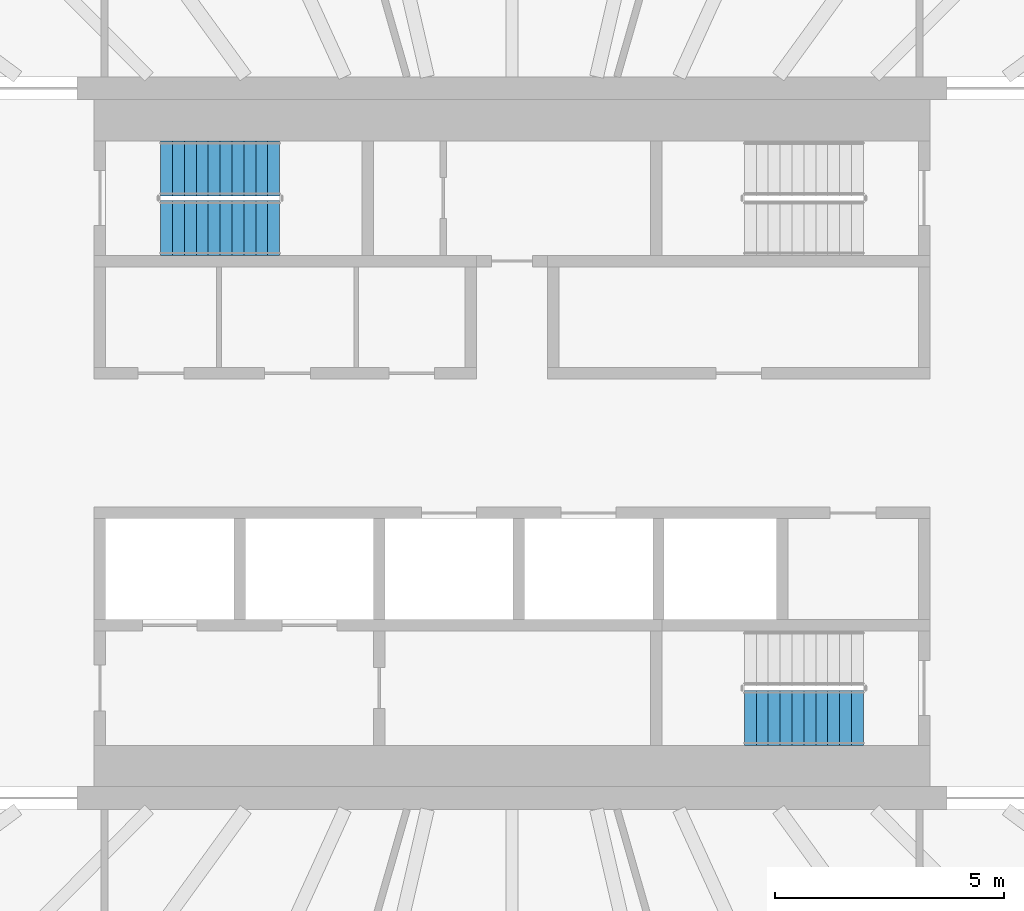
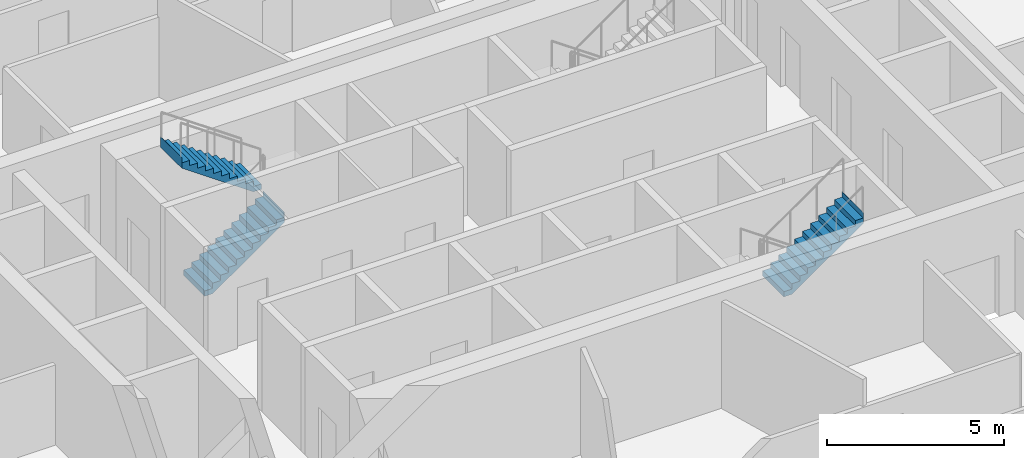
# One storey, part 15 of 21: 3 stair flights, 2 elements without a shape of their own.
"""IFC4 building model written with IfcOpenShell, lengths in metres."""

import ifcopenshell
import ifcopenshell.guid

model = None  # the IFC model being written
_history = None  # IfcOwnerHistory: only IFC2X3 demands one
_inside = {}  # id of a spatial element -> (the spatial element, [elements in it])
_under = {}  # id of a project, library or spatial element -> (it, [spatial elements below it])
_declared = {}  # id of a project -> (the project, [libraries it declares])
_typed = {}  # id of a type object -> (the type object, [elements of that type])
_made_of = {}  # id of a material, layer set ... -> (it, [elements and type objects made of it])


def new_model(schema):
    """Start an empty IFC model of exactly this schema.

    Asked for "IFC4X3", IfcOpenShell would pick the latest addendum, in which some entities
    have other attributes; the version numbers below select the first issue.
    IFC2X3 requires an IfcOwnerHistory on every rooted entity: one is made here for all.
    """
    global model, _history
    if schema == "IFC4X3":
        model = ifcopenshell.file(schema_version=(4, 3, 0, 0))
    else:
        model = ifcopenshell.file(schema=schema)
    _inside.clear()
    _under.clear()
    _declared.clear()
    _typed.clear()
    _made_of.clear()
    _history = None
    if model.schema == "IFC2X3":
        org = make("IfcOrganization", Name="unknown")
        user = make(
            "IfcPersonAndOrganization",
            ThePerson=make("IfcPerson", FamilyName="unknown"),
            TheOrganization=org,
        )
        app = make(
            "IfcApplication",
            ApplicationDeveloper=org,
            Version="unknown",
            ApplicationFullName="unknown",
            ApplicationIdentifier="unknown",
        )
        _history = make(
            "IfcOwnerHistory",
            OwningUser=user,
            OwningApplication=app,
            ChangeAction="ADDED",
            CreationDate=0,
        )
    return model


def make(cls, **values):
    """One entity of the class cls with the attributes given. An attribute that is None is left unset."""
    return model.create_entity(
        cls, **{name: value for name, value in values.items() if value is not None}
    )


def rooted(cls, **values):
    """An entity with a GlobalId (a new one), such as an element, a storey or a relation."""
    return make(cls, GlobalId=ifcopenshell.guid.new(), OwnerHistory=_history, **values)


def si_unit(unit_type, name, prefix=None):
    """IfcSIUnit, for example si_unit("LENGTHUNIT", "METRE", prefix="MILLI")."""
    return make("IfcSIUnit", UnitType=unit_type, Prefix=prefix, Name=name)


def assignment(units):
    """IfcUnitAssignment: the units of a project."""
    return None if units is None else make("IfcUnitAssignment", Units=units)


def point(xyz):
    """IfcCartesianPoint."""
    return None if xyz is None else make("IfcCartesianPoint", Coordinates=xyz)


def direction(xyz):
    """IfcDirection."""
    return None if xyz is None else make("IfcDirection", DirectionRatios=xyz)


def frame(location, z_axis=None, x_axis=None):
    """IfcAxis2Placement3D, a coordinate frame: its origin and axes. An axis left out is left unset."""
    return make(
        "IfcAxis2Placement3D",
        Location=point(location),
        Axis=direction(z_axis),
        RefDirection=direction(x_axis),
    )


def origin():
    """The frame at (0, 0, 0) with its axes left unset."""
    return frame((0.0, 0.0, 0.0))


def place(relative_to, where):
    """IfcLocalPlacement: puts the frame where relative to a parent placement (None: the world)."""
    return make(
        "IfcLocalPlacement", PlacementRelTo=relative_to, RelativePlacement=where
    )


def context(
    kind, dimensions, precision=None, world=None, true_north=None, identifier=None
):
    """IfcGeometricRepresentationContext, for example the 3D "Model" context."""
    return make(
        "IfcGeometricRepresentationContext",
        ContextIdentifier=identifier,
        ContextType=kind,
        CoordinateSpaceDimension=dimensions,
        Precision=precision,
        WorldCoordinateSystem=world,
        TrueNorth=true_north,
    )


def subcontext(parent, identifier, kind, view, scale=None):
    """IfcGeometricRepresentationSubContext, for example "Body" below "Model"."""
    return make(
        "IfcGeometricRepresentationSubContext",
        ContextIdentifier=identifier,
        ContextType=kind,
        ParentContext=parent,
        TargetScale=scale,
        TargetView=view,
    )


def project(units=None, contexts=None):
    """IfcProject with its units and contexts."""
    return rooted(
        "IfcProject",
        Name="project",
        RepresentationContexts=contexts,
        UnitsInContext=assignment(units),
    )


def spatial(cls, under=None, at=None, **own):
    """A site, building, storey or space (cls), placed at a placement, below another one or the project."""
    s = rooted(cls, ObjectPlacement=at, **own)
    if under is not None:
        _under.setdefault(under.id(), (under, []))[1].append(s)
    return s


def point_list(points):
    """IfcCartesianPointList2D or 3D."""
    cls = (
        "IfcCartesianPointList2D" if len(points[0]) == 2 else "IfcCartesianPointList3D"
    )
    return make(cls, CoordList=points)


def triangles(points, corners, closed=None, point_numbers=None):
    """IfcTriangulatedFaceSet: each triangle names its three corners, points numbered from 1."""
    return make(
        "IfcTriangulatedFaceSet",
        Coordinates=point_list(points),
        Closed=closed,
        CoordIndex=corners,
        PnIndex=point_numbers,
    )


def shape(context_of_items, identifier, shape_type, items):
    """IfcShapeRepresentation: the items that make up one representation, for example the "Body"."""
    return make(
        "IfcShapeRepresentation",
        ContextOfItems=context_of_items,
        RepresentationIdentifier=identifier,
        RepresentationType=shape_type,
        Items=items,
    )


def material(Name=None, Category=None):
    """IfcMaterial."""
    return make("IfcMaterial", Name=Name, Category=Category)


def made_of(thing, what):
    """Note that an element or type object is made of a material, layer set ...; save() writes the relation."""
    if what is not None:
        _made_of.setdefault(what.id(), (what, []))[1].append(thing)
    return thing


def type_object(cls, material=None, **own):
    """A type object (cls), such as IfcWallType, which elements share."""
    return made_of(rooted(cls, **own), material)


def element(
    cls,
    number,
    at=None,
    inside=None,
    cuts=None,
    type_object=None,
    material=None,
    context=None,
    identifier="Body",
    shape_type=None,
    held_by="IfcProductDefinitionShape",
    body=None,
    shapes=None,
    **own,
):
    """One element of the class cls, such as IfcWall. Its Tag is "e" and its number.

    at: its placement. inside: the storey or other place that contains it. cuts: it is an
    opening in that element (IfcRelVoidsElement). A single representation is given by context,
    identifier, shape_type and body (its items); several are given by shapes. held_by: the class
    of the entity that holds the representations. save() writes the other relations.
    """
    e = rooted(cls, Tag="e%d" % number, ObjectPlacement=at, **own)
    if body is not None:
        shapes = [shape(context, identifier, shape_type, body)]
    if shapes is not None:
        e.Representation = make(held_by, Representations=shapes)
    if inside is not None:
        _inside.setdefault(inside.id(), (inside, []))[1].append(e)
    if cuts is not None:
        rooted(
            "IfcRelVoidsElement", RelatingBuildingElement=cuts, RelatedOpeningElement=e
        )
    if type_object is not None:
        _typed.setdefault(type_object.id(), (type_object, []))[1].append(e)
    return made_of(e, material)


def aggregate(whole, parts):
    """IfcRelAggregates: a whole, such as a stair, and the parts it consists of."""
    return rooted("IfcRelAggregates", RelatingObject=whole, RelatedObjects=parts)


def save(model, path):
    """Write the relations noted so far, then the file.

    IfcRelAggregates (storeys below a building ...), IfcRelContainedInSpatialStructure (elements
    in a storey), IfcRelDefinesByType, IfcRelAssociatesMaterial and IfcRelDeclares: one each for
    every whole, place, type object, material and project.
    """
    for whole, parts in _under.values():
        aggregate(whole, parts)
    for where, things in _inside.values():
        rooted(
            "IfcRelContainedInSpatialStructure",
            RelatedElements=things,
            RelatingStructure=where,
        )
    for kind, things in _typed.values():
        rooted("IfcRelDefinesByType", RelatedObjects=things, RelatingType=kind)
    for what, things in _made_of.values():
        rooted("IfcRelAssociatesMaterial", RelatedObjects=things, RelatingMaterial=what)
    for by, libraries in _declared.values():
        rooted("IfcRelDeclares", RelatingContext=by, RelatedDefinitions=libraries)
    model.write(path)


model = new_model("IFC4")

# Units and contexts
model_context = context("Model", 3, precision=1e-05, world=origin(), true_north=direction((0.0, 1.0)))
body_context = subcontext(model_context, "Body", "Model", "MODEL_VIEW")
ifc_project = project(units=[si_unit("LENGTHUNIT", "METRE"), si_unit("AREAUNIT", "SQUARE_METRE"), si_unit("VOLUMEUNIT", "CUBIC_METRE"), si_unit("PLANEANGLEUNIT", "RADIAN"), si_unit("MASSUNIT", "GRAM", prefix="KILO")], contexts=[model_context])

# Site, building, storey
site_placement = place(None, origin())
site = spatial("IfcSite", under=ifc_project, at=site_placement, CompositionType="ELEMENT")
building_placement = place(site_placement, origin())
building = spatial("IfcBuilding", under=site, at=building_placement, Name="Sahrelin Media Tower", CompositionType="ELEMENT")
storey_placement = place(building_placement, frame((0.0, 0.0, 193.60009765625)))
storey = spatial("IfcBuildingStorey", under=building, at=storey_placement, Name="L41", CompositionType="ELEMENT", Elevation=193.60009765625)

# Stair, stair flights
ifc_material = material(Name="Concrete C40/50", Category="concrete")
stair_type = type_object("IfcStairType", Name="Exit stair 1200", PredefinedType="HALF_TURN_STAIR", material=ifc_material)
placement = place(storey_placement, origin())
stair_1 = element("IfcStair", 1, at=placement, inside=storey, type_object=stair_type, Name="L41 Exit stair ST1", PredefinedType="HALF_TURN_STAIR")
stair_flight_type = type_object("IfcStairFlightType", Name="Stair flight 1200", PredefinedType="STRAIGHT", material=ifc_material)
stair_flight_1_placement = place(storey_placement, frame((-7.675048828125, 4.699951171875, 0.0), z_axis=(0.0, 0.0, 1.0), x_axis=(1.0, 0.0, 0.0)))
stair_flight_1 = element("IfcStairFlight", 2, at=stair_flight_1_placement, type_object=stair_flight_type, Name="ST1 flight 1", NumberOfRisers=11, NumberOfTreads=10, PredefinedType="STRAIGHT", RiserHeight=0.181818182, TreadLength=0.26, context=body_context, shape_type="Tessellation", body=[
    triangles([(0.261474609375, 0.60009765625, 0.0), (0.261474609375, 0.300048828125, 0.0), (0.261474609375, 0.0, 0.0), (0.261474609375, -0.300048828125, 0.0), (0.261474609375, -0.60009765625, 0.0), (2.60009765625, 0.60009765625, 1.63525390625), (2.60009765625, 0.300048828125, 1.63525390625), (2.60009765625, 0.0, 1.63525390625), (2.60009765625, -0.300048828125, 1.63525390625), (2.60009765625, -0.60009765625, 1.63525390625), (2.60009765625, 0.60009765625, 2.0), (2.60009765625, 0.300048828125, 2.0), (2.60009765625, 0.0, 2.0), (2.60009765625, -0.300048828125, 2.0), (2.60009765625, -0.60009765625, 2.0), (2.597900390625, 0.60009765625, 2.0), (2.597900390625, 0.300048828125, 2.0), (2.597900390625, 0.0, 2.0), (2.597900390625, -0.300048828125, 2.0), (2.597900390625, -0.60009765625, 2.0), (2.597900390625, 0.60009765625, 1.818115234375), (2.597900390625, 0.300048828125, 1.818115234375), (2.597900390625, 0.0, 1.818115234375), (2.597900390625, -0.300048828125, 1.818115234375), (2.597900390625, -0.60009765625, 1.818115234375), (2.340087890625, 0.60009765625, 1.818115234375), (2.340087890625, 0.300048828125, 1.818115234375), (2.340087890625, 0.0, 1.818115234375), (2.340087890625, -0.300048828125, 1.818115234375), (2.340087890625, -0.60009765625, 1.818115234375), (2.340087890625, 0.60009765625, 1.636474609375), (2.340087890625, 0.300048828125, 1.636474609375), (2.340087890625, 0.0, 1.636474609375), (2.340087890625, -0.300048828125, 1.636474609375), (2.340087890625, -0.60009765625, 1.636474609375), (2.080078125, 0.60009765625, 1.636474609375), (2.080078125, 0.300048828125, 1.636474609375), (2.080078125, 0.0, 1.636474609375), (2.080078125, -0.300048828125, 1.636474609375), (2.080078125, -0.60009765625, 1.636474609375), (2.080078125, 0.60009765625, 1.45458984375), (2.080078125, 0.300048828125, 1.45458984375), (2.080078125, 0.0, 1.45458984375), (2.080078125, -0.300048828125, 1.45458984375), (2.080078125, -0.60009765625, 1.45458984375), (1.820068359375, 0.60009765625, 1.45458984375), (1.820068359375, 0.300048828125, 1.45458984375), (1.820068359375, 0.0, 1.45458984375), (1.820068359375, -0.300048828125, 1.45458984375), (1.820068359375, -0.60009765625, 1.45458984375), (1.820068359375, 0.60009765625, 1.272705078125), (1.820068359375, 0.300048828125, 1.272705078125), (1.820068359375, 0.0, 1.272705078125), (1.820068359375, -0.300048828125, 1.272705078125), (1.820068359375, -0.60009765625, 1.272705078125), (1.56005859375, 0.60009765625, 1.272705078125), (1.56005859375, 0.300048828125, 1.272705078125), (1.56005859375, 0.0, 1.272705078125), (1.56005859375, -0.300048828125, 1.272705078125), (1.56005859375, -0.60009765625, 1.272705078125), (1.56005859375, 0.60009765625, 1.0908203125), (1.56005859375, 0.300048828125, 1.0908203125), (1.56005859375, 0.0, 1.0908203125), (1.56005859375, -0.300048828125, 1.0908203125), (1.56005859375, -0.60009765625, 1.0908203125), (1.300048828125, 0.60009765625, 1.0908203125), (1.300048828125, 0.300048828125, 1.0908203125), (1.300048828125, 0.0, 1.0908203125), (1.300048828125, -0.300048828125, 1.0908203125), (1.300048828125, -0.60009765625, 1.0908203125), (1.300048828125, 0.60009765625, 0.9091796875), (1.300048828125, 0.300048828125, 0.9091796875), (1.300048828125, 0.0, 0.9091796875), (1.300048828125, -0.300048828125, 0.9091796875), (1.300048828125, -0.60009765625, 0.9091796875), (1.0400390625, 0.60009765625, 0.9091796875), (1.0400390625, 0.300048828125, 0.9091796875), (1.0400390625, 0.0, 0.9091796875), (1.0400390625, -0.300048828125, 0.9091796875), (1.0400390625, -0.60009765625, 0.9091796875), (1.0400390625, 0.60009765625, 0.727294921875), (1.0400390625, 0.300048828125, 0.727294921875), (1.0400390625, 0.0, 0.727294921875), (1.0400390625, -0.300048828125, 0.727294921875), (1.0400390625, -0.60009765625, 0.727294921875), (0.780029296875, 0.60009765625, 0.727294921875), (0.780029296875, 0.300048828125, 0.727294921875), (0.780029296875, 0.0, 0.727294921875), (0.780029296875, -0.300048828125, 0.727294921875), (0.780029296875, -0.60009765625, 0.727294921875), (0.780029296875, 0.60009765625, 0.54541015625), (0.780029296875, 0.300048828125, 0.54541015625), (0.780029296875, 0.0, 0.54541015625), (0.780029296875, -0.300048828125, 0.54541015625), (0.780029296875, -0.60009765625, 0.54541015625), (0.52001953125, 0.60009765625, 0.54541015625), (0.52001953125, 0.300048828125, 0.54541015625), (0.52001953125, 0.0, 0.54541015625), (0.52001953125, -0.300048828125, 0.54541015625), (0.52001953125, -0.60009765625, 0.54541015625), (0.52001953125, 0.60009765625, 0.363525390625), (0.52001953125, 0.300048828125, 0.363525390625), (0.52001953125, 0.0, 0.363525390625), (0.52001953125, -0.300048828125, 0.363525390625), (0.52001953125, -0.60009765625, 0.363525390625), (0.260009765625, 0.60009765625, 0.363525390625), (0.260009765625, 0.300048828125, 0.363525390625), (0.260009765625, 0.0, 0.363525390625), (0.260009765625, -0.300048828125, 0.363525390625), (0.260009765625, -0.60009765625, 0.363525390625), (0.260009765625, 0.60009765625, 0.181884765625), (0.260009765625, 0.300048828125, 0.181884765625), (0.260009765625, 0.0, 0.181884765625), (0.260009765625, -0.300048828125, 0.181884765625), (0.260009765625, -0.60009765625, 0.181884765625), (0.0, 0.60009765625, 0.181884765625), (0.0, 0.300048828125, 0.181884765625), (0.0, 0.0, 0.181884765625), (0.0, -0.300048828125, 0.181884765625), (0.0, -0.60009765625, 0.181884765625), (0.0, 0.60009765625, 0.0), (0.0, 0.300048828125, 0.0), (0.0, 0.0, 0.0), (0.0, -0.300048828125, 0.0), (0.0, -0.60009765625, 0.0)], [[1, 6, 7], [1, 7, 2], [2, 7, 8], [2, 8, 3], [3, 8, 9], [3, 9, 4], [4, 9, 10], [4, 10, 5], [6, 11, 12], [6, 12, 7], [7, 12, 13], [7, 13, 8], [8, 13, 14], [8, 14, 9], [9, 14, 15], [9, 15, 10], [11, 16, 17], [11, 17, 12], [12, 17, 18], [12, 18, 13], [13, 18, 19], [13, 19, 14], [14, 19, 20], [14, 20, 15], [16, 21, 22], [16, 22, 17], [17, 22, 23], [17, 23, 18], [18, 23, 24], [18, 24, 19], [19, 24, 25], [19, 25, 20], [21, 26, 27], [21, 27, 22], [22, 27, 28], [22, 28, 23], [23, 28, 29], [23, 29, 24], [24, 29, 30], [24, 30, 25], [26, 31, 32], [26, 32, 27], [27, 32, 33], [27, 33, 28], [28, 33, 34], [28, 34, 29], [29, 34, 35], [29, 35, 30], [31, 36, 37], [31, 37, 32], [32, 37, 38], [32, 38, 33], [33, 38, 39], [33, 39, 34], [34, 39, 40], [34, 40, 35], [36, 41, 42], [36, 42, 37], [37, 42, 43], [37, 43, 38], [38, 43, 44], [38, 44, 39], [39, 44, 45], [39, 45, 40], [41, 46, 47], [41, 47, 42], [42, 47, 48], [42, 48, 43], [43, 48, 49], [43, 49, 44], [44, 49, 50], [44, 50, 45], [46, 51, 52], [46, 52, 47], [47, 52, 53], [47, 53, 48], [48, 53, 54], [48, 54, 49], [49, 54, 55], [49, 55, 50], [51, 56, 57], [51, 57, 52], [52, 57, 58], [52, 58, 53], [53, 58, 59], [53, 59, 54], [54, 59, 60], [54, 60, 55], [56, 61, 62], [56, 62, 57], [57, 62, 63], [57, 63, 58], [58, 63, 64], [58, 64, 59], [59, 64, 65], [59, 65, 60], [61, 66, 67], [61, 67, 62], [62, 67, 68], [62, 68, 63], [63, 68, 69], [63, 69, 64], [64, 69, 70], [64, 70, 65], [66, 71, 72], [66, 72, 67], [67, 72, 73], [67, 73, 68], [68, 73, 74], [68, 74, 69], [69, 74, 75], [69, 75, 70], [71, 76, 77], [71, 77, 72], [72, 77, 78], [72, 78, 73], [73, 78, 79], [73, 79, 74], [74, 79, 80], [74, 80, 75], [76, 81, 82], [76, 82, 77], [77, 82, 83], [77, 83, 78], [78, 83, 84], [78, 84, 79], [79, 84, 85], [79, 85, 80], [81, 86, 87], [81, 87, 82], [82, 87, 88], [82, 88, 83], [83, 88, 89], [83, 89, 84], [84, 89, 90], [84, 90, 85], [86, 91, 92], [86, 92, 87], [87, 92, 93], [87, 93, 88], [88, 93, 94], [88, 94, 89], [89, 94, 95], [89, 95, 90], [91, 96, 97], [91, 97, 92], [92, 97, 98], [92, 98, 93], [93, 98, 99], [93, 99, 94], [94, 99, 100], [94, 100, 95], [96, 101, 102], [96, 102, 97], [97, 102, 103], [97, 103, 98], [98, 103, 104], [98, 104, 99], [99, 104, 105], [99, 105, 100], [101, 106, 107], [101, 107, 102], [102, 107, 108], [102, 108, 103], [103, 108, 109], [103, 109, 104], [104, 109, 110], [104, 110, 105], [106, 111, 112], [106, 112, 107], [107, 112, 113], [107, 113, 108], [108, 113, 114], [108, 114, 109], [109, 114, 115], [109, 115, 110], [111, 116, 117], [111, 117, 112], [112, 117, 118], [112, 118, 113], [113, 118, 119], [113, 119, 114], [114, 119, 120], [114, 120, 115], [116, 121, 122], [116, 122, 117], [117, 122, 123], [117, 123, 118], [118, 123, 124], [118, 124, 119], [119, 124, 125], [119, 125, 120], [121, 1, 2], [121, 2, 122], [122, 2, 3], [122, 3, 123], [123, 3, 4], [123, 4, 124], [124, 4, 5], [124, 5, 125], [115, 120, 125], [111, 121, 116], [115, 105, 110], [111, 106, 101], [105, 95, 100], [101, 96, 91], [95, 85, 90], [91, 86, 81], [85, 75, 80], [81, 76, 71], [75, 65, 70], [71, 66, 61], [65, 55, 60], [61, 56, 51], [55, 45, 50], [51, 46, 41], [45, 35, 40], [41, 36, 31], [35, 25, 30], [31, 26, 21], [25, 15, 20], [21, 16, 11], [125, 5, 115], [121, 111, 1], [25, 10, 15], [21, 11, 6], [105, 115, 5], [101, 1, 111], [35, 10, 25], [31, 21, 6], [95, 105, 5], [91, 1, 101], [45, 10, 35], [41, 31, 6], [85, 95, 5], [81, 1, 91], [55, 10, 45], [51, 41, 6], [75, 85, 5], [71, 1, 81], [65, 10, 55], [61, 51, 6], [5, 10, 75], [1, 71, 6], [75, 10, 65], [71, 61, 6]], closed=True),
])
stair_flight_2_placement = place(storey_placement, frame((-5.074951171875, 6.0, 2.0), z_axis=(0.0, 0.0, 1.0), x_axis=(-1.0, 0.0, 0.0)))
stair_flight_2 = element("IfcStairFlight", 3, at=stair_flight_2_placement, type_object=stair_flight_type, Name="ST1 flight 2", NumberOfRisers=11, NumberOfTreads=10, PredefinedType="STRAIGHT", RiserHeight=0.181818182, TreadLength=0.26, context=body_context, shape_type="Tessellation", body=[
    triangles([(0.261474609375, 0.60009765625, 0.0), (0.261474609375, 0.300048828125, 0.0), (0.261474609375, 0.0, 0.0), (0.261474609375, -0.300048828125, 0.0), (0.261474609375, -0.60009765625, 0.0), (2.60009765625, 0.60009765625, 1.63525390625), (2.60009765625, 0.300048828125, 1.63525390625), (2.60009765625, 0.0, 1.63525390625), (2.60009765625, -0.300048828125, 1.63525390625), (2.60009765625, -0.60009765625, 1.63525390625), (2.60009765625, 0.60009765625, 2.0), (2.60009765625, 0.300048828125, 2.0), (2.60009765625, 0.0, 2.0), (2.60009765625, -0.300048828125, 2.0), (2.60009765625, -0.60009765625, 2.0), (2.597900390625, 0.60009765625, 2.0), (2.597900390625, 0.300048828125, 2.0), (2.597900390625, 0.0, 2.0), (2.597900390625, -0.300048828125, 2.0), (2.597900390625, -0.60009765625, 2.0), (2.597900390625, 0.60009765625, 1.818115234375), (2.597900390625, 0.300048828125, 1.818115234375), (2.597900390625, 0.0, 1.818115234375), (2.597900390625, -0.300048828125, 1.818115234375), (2.597900390625, -0.60009765625, 1.818115234375), (2.340087890625, 0.60009765625, 1.818115234375), (2.340087890625, 0.300048828125, 1.818115234375), (2.340087890625, 0.0, 1.818115234375), (2.340087890625, -0.300048828125, 1.818115234375), (2.340087890625, -0.60009765625, 1.818115234375), (2.340087890625, 0.60009765625, 1.636474609375), (2.340087890625, 0.300048828125, 1.636474609375), (2.340087890625, 0.0, 1.636474609375), (2.340087890625, -0.300048828125, 1.636474609375), (2.340087890625, -0.60009765625, 1.636474609375), (2.080078125, 0.60009765625, 1.636474609375), (2.080078125, 0.300048828125, 1.636474609375), (2.080078125, 0.0, 1.636474609375), (2.080078125, -0.300048828125, 1.636474609375), (2.080078125, -0.60009765625, 1.636474609375), (2.080078125, 0.60009765625, 1.45458984375), (2.080078125, 0.300048828125, 1.45458984375), (2.080078125, 0.0, 1.45458984375), (2.080078125, -0.300048828125, 1.45458984375), (2.080078125, -0.60009765625, 1.45458984375), (1.820068359375, 0.60009765625, 1.45458984375), (1.820068359375, 0.300048828125, 1.45458984375), (1.820068359375, 0.0, 1.45458984375), (1.820068359375, -0.300048828125, 1.45458984375), (1.820068359375, -0.60009765625, 1.45458984375), (1.820068359375, 0.60009765625, 1.272705078125), (1.820068359375, 0.300048828125, 1.272705078125), (1.820068359375, 0.0, 1.272705078125), (1.820068359375, -0.300048828125, 1.272705078125), (1.820068359375, -0.60009765625, 1.272705078125), (1.56005859375, 0.60009765625, 1.272705078125), (1.56005859375, 0.300048828125, 1.272705078125), (1.56005859375, 0.0, 1.272705078125), (1.56005859375, -0.300048828125, 1.272705078125), (1.56005859375, -0.60009765625, 1.272705078125), (1.56005859375, 0.60009765625, 1.0908203125), (1.56005859375, 0.300048828125, 1.0908203125), (1.56005859375, 0.0, 1.0908203125), (1.56005859375, -0.300048828125, 1.0908203125), (1.56005859375, -0.60009765625, 1.0908203125), (1.300048828125, 0.60009765625, 1.0908203125), (1.300048828125, 0.300048828125, 1.0908203125), (1.300048828125, 0.0, 1.0908203125), (1.300048828125, -0.300048828125, 1.0908203125), (1.300048828125, -0.60009765625, 1.0908203125), (1.300048828125, 0.60009765625, 0.9091796875), (1.300048828125, 0.300048828125, 0.9091796875), (1.300048828125, 0.0, 0.9091796875), (1.300048828125, -0.300048828125, 0.9091796875), (1.300048828125, -0.60009765625, 0.9091796875), (1.0400390625, 0.60009765625, 0.9091796875), (1.0400390625, 0.300048828125, 0.9091796875), (1.0400390625, 0.0, 0.9091796875), (1.0400390625, -0.300048828125, 0.9091796875), (1.0400390625, -0.60009765625, 0.9091796875), (1.0400390625, 0.60009765625, 0.727294921875), (1.0400390625, 0.300048828125, 0.727294921875), (1.0400390625, 0.0, 0.727294921875), (1.0400390625, -0.300048828125, 0.727294921875), (1.0400390625, -0.60009765625, 0.727294921875), (0.780029296875, 0.60009765625, 0.727294921875), (0.780029296875, 0.300048828125, 0.727294921875), (0.780029296875, 0.0, 0.727294921875), (0.780029296875, -0.300048828125, 0.727294921875), (0.780029296875, -0.60009765625, 0.727294921875), (0.780029296875, 0.60009765625, 0.54541015625), (0.780029296875, 0.300048828125, 0.54541015625), (0.780029296875, 0.0, 0.54541015625), (0.780029296875, -0.300048828125, 0.54541015625), (0.780029296875, -0.60009765625, 0.54541015625), (0.52001953125, 0.60009765625, 0.54541015625), (0.52001953125, 0.300048828125, 0.54541015625), (0.52001953125, 0.0, 0.54541015625), (0.52001953125, -0.300048828125, 0.54541015625), (0.52001953125, -0.60009765625, 0.54541015625), (0.52001953125, 0.60009765625, 0.363525390625), (0.52001953125, 0.300048828125, 0.363525390625), (0.52001953125, 0.0, 0.363525390625), (0.52001953125, -0.300048828125, 0.363525390625), (0.52001953125, -0.60009765625, 0.363525390625), (0.260009765625, 0.60009765625, 0.363525390625), (0.260009765625, 0.300048828125, 0.363525390625), (0.260009765625, 0.0, 0.363525390625), (0.260009765625, -0.300048828125, 0.363525390625), (0.260009765625, -0.60009765625, 0.363525390625), (0.260009765625, 0.60009765625, 0.181884765625), (0.260009765625, 0.300048828125, 0.181884765625), (0.260009765625, 0.0, 0.181884765625), (0.260009765625, -0.300048828125, 0.181884765625), (0.260009765625, -0.60009765625, 0.181884765625), (0.0, 0.60009765625, 0.181884765625), (0.0, 0.300048828125, 0.181884765625), (0.0, 0.0, 0.181884765625), (0.0, -0.300048828125, 0.181884765625), (0.0, -0.60009765625, 0.181884765625), (0.0, 0.60009765625, 0.0), (0.0, 0.300048828125, 0.0), (0.0, 0.0, 0.0), (0.0, -0.300048828125, 0.0), (0.0, -0.60009765625, 0.0)], [[1, 6, 7], [1, 7, 2], [2, 7, 8], [2, 8, 3], [3, 8, 9], [3, 9, 4], [4, 9, 10], [4, 10, 5], [6, 11, 12], [6, 12, 7], [7, 12, 13], [7, 13, 8], [8, 13, 14], [8, 14, 9], [9, 14, 15], [9, 15, 10], [11, 16, 17], [11, 17, 12], [12, 17, 18], [12, 18, 13], [13, 18, 19], [13, 19, 14], [14, 19, 20], [14, 20, 15], [16, 21, 22], [16, 22, 17], [17, 22, 23], [17, 23, 18], [18, 23, 24], [18, 24, 19], [19, 24, 25], [19, 25, 20], [21, 26, 27], [21, 27, 22], [22, 27, 28], [22, 28, 23], [23, 28, 29], [23, 29, 24], [24, 29, 30], [24, 30, 25], [26, 31, 32], [26, 32, 27], [27, 32, 33], [27, 33, 28], [28, 33, 34], [28, 34, 29], [29, 34, 35], [29, 35, 30], [31, 36, 37], [31, 37, 32], [32, 37, 38], [32, 38, 33], [33, 38, 39], [33, 39, 34], [34, 39, 40], [34, 40, 35], [36, 41, 42], [36, 42, 37], [37, 42, 43], [37, 43, 38], [38, 43, 44], [38, 44, 39], [39, 44, 45], [39, 45, 40], [41, 46, 47], [41, 47, 42], [42, 47, 48], [42, 48, 43], [43, 48, 49], [43, 49, 44], [44, 49, 50], [44, 50, 45], [46, 51, 52], [46, 52, 47], [47, 52, 53], [47, 53, 48], [48, 53, 54], [48, 54, 49], [49, 54, 55], [49, 55, 50], [51, 56, 57], [51, 57, 52], [52, 57, 58], [52, 58, 53], [53, 58, 59], [53, 59, 54], [54, 59, 60], [54, 60, 55], [56, 61, 62], [56, 62, 57], [57, 62, 63], [57, 63, 58], [58, 63, 64], [58, 64, 59], [59, 64, 65], [59, 65, 60], [61, 66, 67], [61, 67, 62], [62, 67, 68], [62, 68, 63], [63, 68, 69], [63, 69, 64], [64, 69, 70], [64, 70, 65], [66, 71, 72], [66, 72, 67], [67, 72, 73], [67, 73, 68], [68, 73, 74], [68, 74, 69], [69, 74, 75], [69, 75, 70], [71, 76, 77], [71, 77, 72], [72, 77, 78], [72, 78, 73], [73, 78, 79], [73, 79, 74], [74, 79, 80], [74, 80, 75], [76, 81, 82], [76, 82, 77], [77, 82, 83], [77, 83, 78], [78, 83, 84], [78, 84, 79], [79, 84, 85], [79, 85, 80], [81, 86, 87], [81, 87, 82], [82, 87, 88], [82, 88, 83], [83, 88, 89], [83, 89, 84], [84, 89, 90], [84, 90, 85], [86, 91, 92], [86, 92, 87], [87, 92, 93], [87, 93, 88], [88, 93, 94], [88, 94, 89], [89, 94, 95], [89, 95, 90], [91, 96, 97], [91, 97, 92], [92, 97, 98], [92, 98, 93], [93, 98, 99], [93, 99, 94], [94, 99, 100], [94, 100, 95], [96, 101, 102], [96, 102, 97], [97, 102, 103], [97, 103, 98], [98, 103, 104], [98, 104, 99], [99, 104, 105], [99, 105, 100], [101, 106, 107], [101, 107, 102], [102, 107, 108], [102, 108, 103], [103, 108, 109], [103, 109, 104], [104, 109, 110], [104, 110, 105], [106, 111, 112], [106, 112, 107], [107, 112, 113], [107, 113, 108], [108, 113, 114], [108, 114, 109], [109, 114, 115], [109, 115, 110], [111, 116, 117], [111, 117, 112], [112, 117, 118], [112, 118, 113], [113, 118, 119], [113, 119, 114], [114, 119, 120], [114, 120, 115], [116, 121, 122], [116, 122, 117], [117, 122, 123], [117, 123, 118], [118, 123, 124], [118, 124, 119], [119, 124, 125], [119, 125, 120], [121, 1, 2], [121, 2, 122], [122, 2, 3], [122, 3, 123], [123, 3, 4], [123, 4, 124], [124, 4, 5], [124, 5, 125], [115, 120, 125], [111, 121, 116], [115, 105, 110], [111, 106, 101], [105, 95, 100], [101, 96, 91], [95, 85, 90], [91, 86, 81], [85, 75, 80], [81, 76, 71], [75, 65, 70], [71, 66, 61], [65, 55, 60], [61, 56, 51], [55, 45, 50], [51, 46, 41], [45, 35, 40], [41, 36, 31], [35, 25, 30], [31, 26, 21], [25, 15, 20], [21, 16, 11], [125, 5, 115], [121, 111, 1], [25, 10, 15], [21, 11, 6], [105, 115, 5], [101, 1, 111], [35, 10, 25], [31, 21, 6], [95, 105, 5], [91, 1, 101], [45, 10, 35], [41, 31, 6], [85, 95, 5], [81, 1, 91], [55, 10, 45], [51, 41, 6], [75, 85, 5], [71, 1, 81], [65, 10, 55], [61, 51, 6], [5, 10, 75], [1, 71, 6], [75, 10, 65], [71, 61, 6]], closed=True),
])
aggregate(stair_1, [stair_flight_1, stair_flight_2])

# Stair, stair flight
stair_2 = element("IfcStair", 4, at=placement, inside=storey, type_object=stair_type, Name="L41 Exit stair ST2", PredefinedType="HALF_TURN_STAIR")
stair_flight_3_placement = place(storey_placement, frame((5.074951171875, -6.0, 2.0), z_axis=(0.0, 0.0, 1.0), x_axis=(1.0, 0.0, 0.0)))
stair_flight_3 = element("IfcStairFlight", 5, at=stair_flight_3_placement, type_object=stair_flight_type, Name="ST2 flight 2", NumberOfRisers=11, NumberOfTreads=10, PredefinedType="STRAIGHT", RiserHeight=0.181818182, TreadLength=0.26, context=body_context, shape_type="Tessellation", body=[
    triangles([(0.261474609375, 0.60009765625, 0.0), (0.261474609375, 0.300048828125, 0.0), (0.261474609375, 0.0, 0.0), (0.261474609375, -0.300048828125, 0.0), (0.261474609375, -0.60009765625, 0.0), (2.60009765625, 0.60009765625, 1.63525390625), (2.60009765625, 0.300048828125, 1.63525390625), (2.60009765625, 0.0, 1.63525390625), (2.60009765625, -0.300048828125, 1.63525390625), (2.60009765625, -0.60009765625, 1.63525390625), (2.60009765625, 0.60009765625, 2.0), (2.60009765625, 0.300048828125, 2.0), (2.60009765625, 0.0, 2.0), (2.60009765625, -0.300048828125, 2.0), (2.60009765625, -0.60009765625, 2.0), (2.597900390625, 0.60009765625, 2.0), (2.597900390625, 0.300048828125, 2.0), (2.597900390625, 0.0, 2.0), (2.597900390625, -0.300048828125, 2.0), (2.597900390625, -0.60009765625, 2.0), (2.597900390625, 0.60009765625, 1.818115234375), (2.597900390625, 0.300048828125, 1.818115234375), (2.597900390625, 0.0, 1.818115234375), (2.597900390625, -0.300048828125, 1.818115234375), (2.597900390625, -0.60009765625, 1.818115234375), (2.340087890625, 0.60009765625, 1.818115234375), (2.340087890625, 0.300048828125, 1.818115234375), (2.340087890625, 0.0, 1.818115234375), (2.340087890625, -0.300048828125, 1.818115234375), (2.340087890625, -0.60009765625, 1.818115234375), (2.340087890625, 0.60009765625, 1.636474609375), (2.340087890625, 0.300048828125, 1.636474609375), (2.340087890625, 0.0, 1.636474609375), (2.340087890625, -0.300048828125, 1.636474609375), (2.340087890625, -0.60009765625, 1.636474609375), (2.080078125, 0.60009765625, 1.636474609375), (2.080078125, 0.300048828125, 1.636474609375), (2.080078125, 0.0, 1.636474609375), (2.080078125, -0.300048828125, 1.636474609375), (2.080078125, -0.60009765625, 1.636474609375), (2.080078125, 0.60009765625, 1.45458984375), (2.080078125, 0.300048828125, 1.45458984375), (2.080078125, 0.0, 1.45458984375), (2.080078125, -0.300048828125, 1.45458984375), (2.080078125, -0.60009765625, 1.45458984375), (1.820068359375, 0.60009765625, 1.45458984375), (1.820068359375, 0.300048828125, 1.45458984375), (1.820068359375, 0.0, 1.45458984375), (1.820068359375, -0.300048828125, 1.45458984375), (1.820068359375, -0.60009765625, 1.45458984375), (1.820068359375, 0.60009765625, 1.272705078125), (1.820068359375, 0.300048828125, 1.272705078125), (1.820068359375, 0.0, 1.272705078125), (1.820068359375, -0.300048828125, 1.272705078125), (1.820068359375, -0.60009765625, 1.272705078125), (1.56005859375, 0.60009765625, 1.272705078125), (1.56005859375, 0.300048828125, 1.272705078125), (1.56005859375, 0.0, 1.272705078125), (1.56005859375, -0.300048828125, 1.272705078125), (1.56005859375, -0.60009765625, 1.272705078125), (1.56005859375, 0.60009765625, 1.0908203125), (1.56005859375, 0.300048828125, 1.0908203125), (1.56005859375, 0.0, 1.0908203125), (1.56005859375, -0.300048828125, 1.0908203125), (1.56005859375, -0.60009765625, 1.0908203125), (1.300048828125, 0.60009765625, 1.0908203125), (1.300048828125, 0.300048828125, 1.0908203125), (1.300048828125, 0.0, 1.0908203125), (1.300048828125, -0.300048828125, 1.0908203125), (1.300048828125, -0.60009765625, 1.0908203125), (1.300048828125, 0.60009765625, 0.9091796875), (1.300048828125, 0.300048828125, 0.9091796875), (1.300048828125, 0.0, 0.9091796875), (1.300048828125, -0.300048828125, 0.9091796875), (1.300048828125, -0.60009765625, 0.9091796875), (1.0400390625, 0.60009765625, 0.9091796875), (1.0400390625, 0.300048828125, 0.9091796875), (1.0400390625, 0.0, 0.9091796875), (1.0400390625, -0.300048828125, 0.9091796875), (1.0400390625, -0.60009765625, 0.9091796875), (1.0400390625, 0.60009765625, 0.727294921875), (1.0400390625, 0.300048828125, 0.727294921875), (1.0400390625, 0.0, 0.727294921875), (1.0400390625, -0.300048828125, 0.727294921875), (1.0400390625, -0.60009765625, 0.727294921875), (0.780029296875, 0.60009765625, 0.727294921875), (0.780029296875, 0.300048828125, 0.727294921875), (0.780029296875, 0.0, 0.727294921875), (0.780029296875, -0.300048828125, 0.727294921875), (0.780029296875, -0.60009765625, 0.727294921875), (0.780029296875, 0.60009765625, 0.54541015625), (0.780029296875, 0.300048828125, 0.54541015625), (0.780029296875, 0.0, 0.54541015625), (0.780029296875, -0.300048828125, 0.54541015625), (0.780029296875, -0.60009765625, 0.54541015625), (0.52001953125, 0.60009765625, 0.54541015625), (0.52001953125, 0.300048828125, 0.54541015625), (0.52001953125, 0.0, 0.54541015625), (0.52001953125, -0.300048828125, 0.54541015625), (0.52001953125, -0.60009765625, 0.54541015625), (0.52001953125, 0.60009765625, 0.363525390625), (0.52001953125, 0.300048828125, 0.363525390625), (0.52001953125, 0.0, 0.363525390625), (0.52001953125, -0.300048828125, 0.363525390625), (0.52001953125, -0.60009765625, 0.363525390625), (0.260009765625, 0.60009765625, 0.363525390625), (0.260009765625, 0.300048828125, 0.363525390625), (0.260009765625, 0.0, 0.363525390625), (0.260009765625, -0.300048828125, 0.363525390625), (0.260009765625, -0.60009765625, 0.363525390625), (0.260009765625, 0.60009765625, 0.181884765625), (0.260009765625, 0.300048828125, 0.181884765625), (0.260009765625, 0.0, 0.181884765625), (0.260009765625, -0.300048828125, 0.181884765625), (0.260009765625, -0.60009765625, 0.181884765625), (0.0, 0.60009765625, 0.181884765625), (0.0, 0.300048828125, 0.181884765625), (0.0, 0.0, 0.181884765625), (0.0, -0.300048828125, 0.181884765625), (0.0, -0.60009765625, 0.181884765625), (0.0, 0.60009765625, 0.0), (0.0, 0.300048828125, 0.0), (0.0, 0.0, 0.0), (0.0, -0.300048828125, 0.0), (0.0, -0.60009765625, 0.0)], [[1, 6, 7], [1, 7, 2], [2, 7, 8], [2, 8, 3], [3, 8, 9], [3, 9, 4], [4, 9, 10], [4, 10, 5], [6, 11, 12], [6, 12, 7], [7, 12, 13], [7, 13, 8], [8, 13, 14], [8, 14, 9], [9, 14, 15], [9, 15, 10], [11, 16, 17], [11, 17, 12], [12, 17, 18], [12, 18, 13], [13, 18, 19], [13, 19, 14], [14, 19, 20], [14, 20, 15], [16, 21, 22], [16, 22, 17], [17, 22, 23], [17, 23, 18], [18, 23, 24], [18, 24, 19], [19, 24, 25], [19, 25, 20], [21, 26, 27], [21, 27, 22], [22, 27, 28], [22, 28, 23], [23, 28, 29], [23, 29, 24], [24, 29, 30], [24, 30, 25], [26, 31, 32], [26, 32, 27], [27, 32, 33], [27, 33, 28], [28, 33, 34], [28, 34, 29], [29, 34, 35], [29, 35, 30], [31, 36, 37], [31, 37, 32], [32, 37, 38], [32, 38, 33], [33, 38, 39], [33, 39, 34], [34, 39, 40], [34, 40, 35], [36, 41, 42], [36, 42, 37], [37, 42, 43], [37, 43, 38], [38, 43, 44], [38, 44, 39], [39, 44, 45], [39, 45, 40], [41, 46, 47], [41, 47, 42], [42, 47, 48], [42, 48, 43], [43, 48, 49], [43, 49, 44], [44, 49, 50], [44, 50, 45], [46, 51, 52], [46, 52, 47], [47, 52, 53], [47, 53, 48], [48, 53, 54], [48, 54, 49], [49, 54, 55], [49, 55, 50], [51, 56, 57], [51, 57, 52], [52, 57, 58], [52, 58, 53], [53, 58, 59], [53, 59, 54], [54, 59, 60], [54, 60, 55], [56, 61, 62], [56, 62, 57], [57, 62, 63], [57, 63, 58], [58, 63, 64], [58, 64, 59], [59, 64, 65], [59, 65, 60], [61, 66, 67], [61, 67, 62], [62, 67, 68], [62, 68, 63], [63, 68, 69], [63, 69, 64], [64, 69, 70], [64, 70, 65], [66, 71, 72], [66, 72, 67], [67, 72, 73], [67, 73, 68], [68, 73, 74], [68, 74, 69], [69, 74, 75], [69, 75, 70], [71, 76, 77], [71, 77, 72], [72, 77, 78], [72, 78, 73], [73, 78, 79], [73, 79, 74], [74, 79, 80], [74, 80, 75], [76, 81, 82], [76, 82, 77], [77, 82, 83], [77, 83, 78], [78, 83, 84], [78, 84, 79], [79, 84, 85], [79, 85, 80], [81, 86, 87], [81, 87, 82], [82, 87, 88], [82, 88, 83], [83, 88, 89], [83, 89, 84], [84, 89, 90], [84, 90, 85], [86, 91, 92], [86, 92, 87], [87, 92, 93], [87, 93, 88], [88, 93, 94], [88, 94, 89], [89, 94, 95], [89, 95, 90], [91, 96, 97], [91, 97, 92], [92, 97, 98], [92, 98, 93], [93, 98, 99], [93, 99, 94], [94, 99, 100], [94, 100, 95], [96, 101, 102], [96, 102, 97], [97, 102, 103], [97, 103, 98], [98, 103, 104], [98, 104, 99], [99, 104, 105], [99, 105, 100], [101, 106, 107], [101, 107, 102], [102, 107, 108], [102, 108, 103], [103, 108, 109], [103, 109, 104], [104, 109, 110], [104, 110, 105], [106, 111, 112], [106, 112, 107], [107, 112, 113], [107, 113, 108], [108, 113, 114], [108, 114, 109], [109, 114, 115], [109, 115, 110], [111, 116, 117], [111, 117, 112], [112, 117, 118], [112, 118, 113], [113, 118, 119], [113, 119, 114], [114, 119, 120], [114, 120, 115], [116, 121, 122], [116, 122, 117], [117, 122, 123], [117, 123, 118], [118, 123, 124], [118, 124, 119], [119, 124, 125], [119, 125, 120], [121, 1, 2], [121, 2, 122], [122, 2, 3], [122, 3, 123], [123, 3, 4], [123, 4, 124], [124, 4, 5], [124, 5, 125], [115, 120, 125], [111, 121, 116], [115, 105, 110], [111, 106, 101], [105, 95, 100], [101, 96, 91], [95, 85, 90], [91, 86, 81], [85, 75, 80], [81, 76, 71], [75, 65, 70], [71, 66, 61], [65, 55, 60], [61, 56, 51], [55, 45, 50], [51, 46, 41], [45, 35, 40], [41, 36, 31], [35, 25, 30], [31, 26, 21], [25, 15, 20], [21, 16, 11], [125, 5, 115], [121, 111, 1], [25, 10, 15], [21, 11, 6], [105, 115, 5], [101, 1, 111], [35, 10, 25], [31, 21, 6], [95, 105, 5], [91, 1, 101], [45, 10, 35], [41, 31, 6], [85, 95, 5], [81, 1, 91], [55, 10, 45], [51, 41, 6], [75, 85, 5], [71, 1, 81], [65, 10, 55], [61, 51, 6], [5, 10, 75], [1, 71, 6], [75, 10, 65], [71, 61, 6]], closed=True),
])
aggregate(stair_2, [stair_flight_3])

save(model, "model.ifc")
